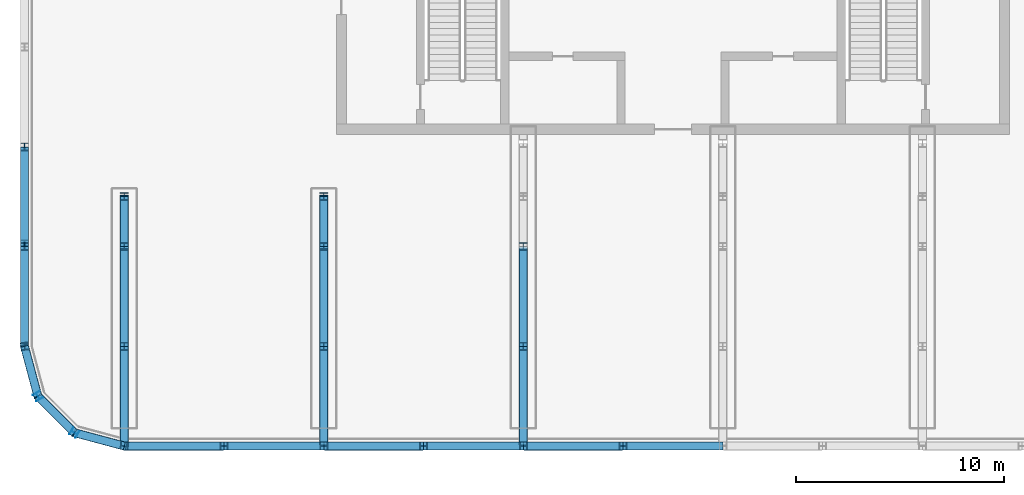
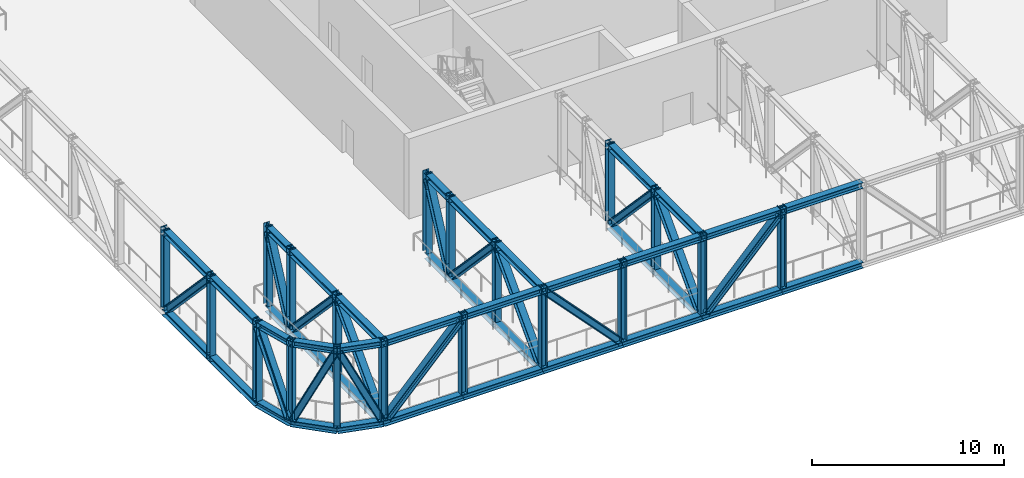
# One storey, part 1 of 16: 72 members.
"""IFC4 building model written with IfcOpenShell, lengths in metres."""

from ifc_helpers import new_model, si_unit, direction, frame, origin, origin_2d, place, context, subcontext, project, spatial, i_section, extrude, material, material_profile, profile_set, type_object, element, save


model = new_model("IFC4")

# Units and contexts
model_context = context("Model", 3, precision=1e-05, world=origin(), true_north=direction((0.0, 1.0)))
body_context = subcontext(model_context, "Body", "Model", "MODEL_VIEW")
ifc_project = project(units=[si_unit("LENGTHUNIT", "METRE"), si_unit("AREAUNIT", "SQUARE_METRE"), si_unit("VOLUMEUNIT", "CUBIC_METRE"), si_unit("PLANEANGLEUNIT", "RADIAN"), si_unit("MASSUNIT", "GRAM", prefix="KILO")], contexts=[model_context])

# Site, building, storey
site_placement = place(None, origin())
site = spatial("IfcSite", under=ifc_project, at=site_placement, CompositionType="ELEMENT")
building_placement = place(site_placement, origin())
building = spatial("IfcBuilding", under=site, at=building_placement, Name="Madar Terraces", CompositionType="ELEMENT")
storey_placement = place(building_placement, frame((0.0, 0.0, 263.199951171875)))
storey = spatial("IfcBuildingStorey", under=building, at=storey_placement, Name="L69", CompositionType="ELEMENT", Elevation=263.199951171875)

# Members
ifc_material_1 = material(Name="Steel ASTM A992 Grade 50", Category="steel")
ifc_material_profile_1 = material_profile(ifc_material_1, i_section(OverallWidth=0.396240234375, OverallDepth=0.381103515625, WebThickness=0.01904296875, FlangeThickness=0.0302734375, at=origin_2d()), Name="W14x159")
ifc_profile_set_1 = profile_set([ifc_material_profile_1], Name="Steel ASTM A992 Grade 50")
member_type_1 = type_object("IfcMemberType", Name="BC9 W14x159", PredefinedType="CHORD", material=ifc_profile_set_1)
member_1_placement = place(storey_placement, frame((4.800048828125, 0.0, -0.2294921875), z_axis=(1.0, 0.0, 0.0), x_axis=(0.0, 1.0, 0.0)))
element("IfcMember", 1, at=member_1_placement, inside=storey, type_object=member_type_1, Name="Exoskeleton truss ring bottom chord BC9", PredefinedType="CHORD", context=body_context, shape_type="SweptSolid", body=[
    extrude(i_section(OverallWidth=0.396240234375, OverallDepth=0.381103515625, WebThickness=0.01904296875, FlangeThickness=0.0302734375, at=origin_2d()), origin(), (0.0, 0.0, 1.0), 4.800048828125),
])
member_2_placement = place(storey_placement, frame((9.60009765625, 0.0, -0.2294921875), z_axis=(1.0, 0.0, 0.0), x_axis=(0.0, 1.0, 0.0)))
element("IfcMember", 2, at=member_2_placement, inside=storey, type_object=member_type_1, Name="Exoskeleton truss ring bottom chord BC9", PredefinedType="CHORD", context=body_context, shape_type="SweptSolid", body=[
    extrude(i_section(OverallWidth=0.396240234375, OverallDepth=0.381103515625, WebThickness=0.01904296875, FlangeThickness=0.0302734375, at=origin_2d()), origin(), (0.0, 0.0, 1.0), 4.7998046875),
])
for number, where, z_axis, x_axis, name in (
    (3, (14.39990234375, 0.0, -0.2294921875), (1.0, 0.0, 0.0), (0.0, 1.0, 0.0), "Exoskeleton truss ring bottom chord BC9"),
    (4, (19.199951171875, 0.0, -0.2294921875), (1.0, 0.0, 0.0), (0.0, 1.0, 0.0), "Exoskeleton truss ring bottom chord BC9"),
    (5, (24.0, 0.0, -0.2294921875), (1.0, 0.0, 0.0), (0.0, 1.0, 0.0), "Exoskeleton truss ring bottom chord BC9"),
    (6, (28.800048828125, 0.0, -0.2294921875), (1.0, 0.0, 0.0), (0.0, 1.0, 0.0), "Exoskeleton truss ring bottom chord BC9"),
):
    element("IfcMember", number, at=place(storey_placement, frame(where, z_axis=z_axis, x_axis=x_axis)), inside=storey, type_object=member_type_1, Name=name, PredefinedType="CHORD", context=body_context, shape_type="SweptSolid", body=[
        extrude(i_section(OverallWidth=0.396240234375, OverallDepth=0.381103515625, WebThickness=0.01904296875, FlangeThickness=0.0302734375, at=origin_2d()), origin(), (0.0, 0.0, 1.0), 4.800048828125),
    ])
member_3_placement = place(storey_placement, frame((0.0, 14.39990234375, -0.2294921875), z_axis=(0.0, -1.0, 0.0), x_axis=(1.0, 0.0, 0.0)))
element("IfcMember", 7, at=member_3_placement, inside=storey, type_object=member_type_1, Name="Exoskeleton truss ring bottom chord BC9", PredefinedType="CHORD", context=body_context, shape_type="SweptSolid", body=[
    extrude(i_section(OverallWidth=0.396240234375, OverallDepth=0.381103515625, WebThickness=0.01904296875, FlangeThickness=0.0302734375, at=origin_2d()), origin(), (0.0, 0.0, 1.0), 4.7998046875),
])
member_4_placement = place(storey_placement, frame((0.0, 9.60009765625, -0.2294921875), z_axis=(0.0, -1.0, 0.0), x_axis=(1.0, 0.0, 0.0)))
element("IfcMember", 8, at=member_4_placement, inside=storey, type_object=member_type_1, Name="Exoskeleton truss ring bottom chord BC9", PredefinedType="CHORD", context=body_context, shape_type="SweptSolid", body=[
    extrude(i_section(OverallWidth=0.396240234375, OverallDepth=0.381103515625, WebThickness=0.01904296875, FlangeThickness=0.0302734375, at=origin_2d()), origin(), (0.0, 0.0, 1.0), 4.800048828125),
])
member_5_placement = place(storey_placement, frame((0.0, 4.800048828125, -0.2294921875), z_axis=(0.258799930484, -0.965930947833, 0.0), x_axis=(0.965930947833, 0.258799930484, 0.0)))
element("IfcMember", 9, at=member_5_placement, inside=storey, type_object=member_type_1, Name="Exoskeleton truss ring bottom chord BC9", PredefinedType="CHORD", context=body_context, shape_type="SweptSolid", body=[
    extrude(i_section(OverallWidth=0.396240234375, OverallDepth=0.381103515625, WebThickness=0.01904296875, FlangeThickness=0.0302734375, at=origin_2d()), origin(), (0.0, 0.0, 1.0), 2.48486328125),
])
member_6_placement = place(storey_placement, frame((0.64306640625, 2.39990234375, -0.2294921875), z_axis=(0.707106781187, -0.707106781187, 0.0), x_axis=(0.707106781187, 0.707106781187, 0.0)))
element("IfcMember", 10, at=member_6_placement, inside=storey, type_object=member_type_1, Name="Exoskeleton truss ring bottom chord BC9", PredefinedType="CHORD", context=body_context, shape_type="SweptSolid", body=[
    extrude(i_section(OverallWidth=0.396240234375, OverallDepth=0.381103515625, WebThickness=0.01904296875, FlangeThickness=0.0302734375, at=origin_2d()), origin(), (0.0, 0.0, 1.0), 2.484619140625),
])
member_7_placement = place(storey_placement, frame((2.39990234375, 0.64306640625, -0.2294921875), z_axis=(0.965930947833, -0.258799930484, 0.0), x_axis=(0.258799930484, 0.965930947833, 0.0)))
element("IfcMember", 11, at=member_7_placement, inside=storey, type_object=member_type_1, Name="Exoskeleton truss ring bottom chord BC9", PredefinedType="CHORD", context=body_context, shape_type="SweptSolid", body=[
    extrude(i_section(OverallWidth=0.396240234375, OverallDepth=0.381103515625, WebThickness=0.01904296875, FlangeThickness=0.0302734375, at=origin_2d()), origin(), (0.0, 0.0, 1.0), 2.48486328125),
])
member_8_placement = place(storey_placement, frame((4.800048828125, 0.197998046875, -0.2294921875), z_axis=(0.0, 1.0, 0.0), x_axis=(-1.0, 0.0, 0.0)))
element("IfcMember", 12, at=member_8_placement, inside=storey, type_object=member_type_1, Name="Exoskeleton truss cross S4.8 bottom chord BC9", PredefinedType="CHORD", context=body_context, shape_type="SweptSolid", body=[
    extrude(i_section(OverallWidth=0.396240234375, OverallDepth=0.381103515625, WebThickness=0.01904296875, FlangeThickness=0.0302734375, at=origin_2d()), origin(), (0.0, 0.0, 1.0), 4.60205078125),
])
member_9_placement = place(storey_placement, frame((4.800048828125, 4.800048828125, -0.2294921875), z_axis=(0.0, 1.0, 0.0), x_axis=(-1.0, 0.0, 0.0)))
element("IfcMember", 13, at=member_9_placement, inside=storey, type_object=member_type_1, Name="Exoskeleton truss cross S4.8 bottom chord BC9", PredefinedType="CHORD", context=body_context, shape_type="SweptSolid", body=[
    extrude(i_section(OverallWidth=0.396240234375, OverallDepth=0.381103515625, WebThickness=0.01904296875, FlangeThickness=0.0302734375, at=origin_2d()), origin(), (0.0, 0.0, 1.0), 4.800048828125),
])
member_10_placement = place(storey_placement, frame((4.800048828125, 9.60009765625, -0.2294921875), z_axis=(0.0, 1.0, 0.0), x_axis=(-1.0, 0.0, 0.0)))
element("IfcMember", 14, at=member_10_placement, inside=storey, type_object=member_type_1, Name="Exoskeleton truss cross S4.8 bottom chord BC9", PredefinedType="CHORD", context=body_context, shape_type="SweptSolid", body=[
    extrude(i_section(OverallWidth=0.396240234375, OverallDepth=0.381103515625, WebThickness=0.01904296875, FlangeThickness=0.0302734375, at=origin_2d()), origin(), (0.0, 0.0, 1.0), 2.39990234375),
])
member_11_placement = place(storey_placement, frame((14.39990234375, 0.197998046875, -0.2294921875), z_axis=(0.0, 1.0, 0.0), x_axis=(-1.0, 0.0, 0.0)))
element("IfcMember", 15, at=member_11_placement, inside=storey, type_object=member_type_1, Name="Exoskeleton truss cross S14.4 bottom chord BC9", PredefinedType="CHORD", context=body_context, shape_type="SweptSolid", body=[
    extrude(i_section(OverallWidth=0.396240234375, OverallDepth=0.381103515625, WebThickness=0.01904296875, FlangeThickness=0.0302734375, at=origin_2d()), origin(), (0.0, 0.0, 1.0), 4.60205078125),
])
member_12_placement = place(storey_placement, frame((14.39990234375, 4.800048828125, -0.2294921875), z_axis=(0.0, 1.0, 0.0), x_axis=(-1.0, 0.0, 0.0)))
element("IfcMember", 16, at=member_12_placement, inside=storey, type_object=member_type_1, Name="Exoskeleton truss cross S14.4 bottom chord BC9", PredefinedType="CHORD", context=body_context, shape_type="SweptSolid", body=[
    extrude(i_section(OverallWidth=0.396240234375, OverallDepth=0.381103515625, WebThickness=0.01904296875, FlangeThickness=0.0302734375, at=origin_2d()), origin(), (0.0, 0.0, 1.0), 4.800048828125),
])
member_13_placement = place(storey_placement, frame((14.39990234375, 9.60009765625, -0.2294921875), z_axis=(0.0, 1.0, 0.0), x_axis=(-1.0, 0.0, 0.0)))
element("IfcMember", 17, at=member_13_placement, inside=storey, type_object=member_type_1, Name="Exoskeleton truss cross S14.4 bottom chord BC9", PredefinedType="CHORD", context=body_context, shape_type="SweptSolid", body=[
    extrude(i_section(OverallWidth=0.396240234375, OverallDepth=0.381103515625, WebThickness=0.01904296875, FlangeThickness=0.0302734375, at=origin_2d()), origin(), (0.0, 0.0, 1.0), 2.39990234375),
])
member_14_placement = place(storey_placement, frame((24.0, 0.197998046875, -0.2294921875), z_axis=(0.0, 1.0, 0.0), x_axis=(-1.0, 0.0, 0.0)))
element("IfcMember", 18, at=member_14_placement, inside=storey, type_object=member_type_1, Name="Exoskeleton truss cross S24 bottom chord BC9", PredefinedType="CHORD", context=body_context, shape_type="SweptSolid", body=[
    extrude(i_section(OverallWidth=0.396240234375, OverallDepth=0.381103515625, WebThickness=0.01904296875, FlangeThickness=0.0302734375, at=origin_2d()), origin(), (0.0, 0.0, 1.0), 4.60205078125),
])
member_15_placement = place(storey_placement, frame((24.0, 4.800048828125, -0.2294921875), z_axis=(0.0, 1.0, 0.0), x_axis=(-1.0, 0.0, 0.0)))
element("IfcMember", 19, at=member_15_placement, inside=storey, type_object=member_type_1, Name="Exoskeleton truss cross S24 bottom chord BC9", PredefinedType="CHORD", context=body_context, shape_type="SweptSolid", body=[
    extrude(i_section(OverallWidth=0.396240234375, OverallDepth=0.381103515625, WebThickness=0.01904296875, FlangeThickness=0.0302734375, at=origin_2d()), origin(), (0.0, 0.0, 1.0), 4.800048828125),
])
ifc_material_2 = material(Name="Steel ASTM A992 Grade 50", Category="steel")
ifc_material_profile_2 = material_profile(ifc_material_2, i_section(OverallWidth=0.373291015625, OverallDepth=0.373291015625, WebThickness=0.016357421875, FlangeThickness=0.026123046875, at=origin_2d()), Name="W14x132")
ifc_profile_set_2 = profile_set([ifc_material_profile_2], Name="Steel ASTM A992 Grade 50")
member_type_2 = type_object("IfcMemberType", Name="TC9 W14x132", PredefinedType="CHORD", material=ifc_profile_set_2)
member_16_placement = place(storey_placement, frame((4.800048828125, 0.0, 4.84326171875), z_axis=(1.0, 0.0, 0.0), x_axis=(0.0, 1.0, 0.0)))
element("IfcMember", 20, at=member_16_placement, inside=storey, type_object=member_type_2, Name="Exoskeleton truss ring top chord TC9", PredefinedType="CHORD", context=body_context, shape_type="SweptSolid", body=[
    extrude(i_section(OverallWidth=0.373291015625, OverallDepth=0.373291015625, WebThickness=0.016357421875, FlangeThickness=0.026123046875, at=origin_2d()), origin(), (0.0, 0.0, 1.0), 4.800048828125),
])
member_17_placement = place(storey_placement, frame((9.60009765625, 0.0, 4.84326171875), z_axis=(1.0, 0.0, 0.0), x_axis=(0.0, 1.0, 0.0)))
element("IfcMember", 21, at=member_17_placement, inside=storey, type_object=member_type_2, Name="Exoskeleton truss ring top chord TC9", PredefinedType="CHORD", context=body_context, shape_type="SweptSolid", body=[
    extrude(i_section(OverallWidth=0.373291015625, OverallDepth=0.373291015625, WebThickness=0.016357421875, FlangeThickness=0.026123046875, at=origin_2d()), origin(), (0.0, 0.0, 1.0), 4.7998046875),
])
for number, where, z_axis, x_axis, name in (
    (22, (14.39990234375, 0.0, 4.84326171875), (1.0, 0.0, 0.0), (0.0, 1.0, 0.0), "Exoskeleton truss ring top chord TC9"),
    (23, (19.199951171875, 0.0, 4.84326171875), (1.0, 0.0, 0.0), (0.0, 1.0, 0.0), "Exoskeleton truss ring top chord TC9"),
    (24, (24.0, 0.0, 4.84326171875), (1.0, 0.0, 0.0), (0.0, 1.0, 0.0), "Exoskeleton truss ring top chord TC9"),
    (25, (28.800048828125, 0.0, 4.84326171875), (1.0, 0.0, 0.0), (0.0, 1.0, 0.0), "Exoskeleton truss ring top chord TC9"),
):
    element("IfcMember", number, at=place(storey_placement, frame(where, z_axis=z_axis, x_axis=x_axis)), inside=storey, type_object=member_type_2, Name=name, PredefinedType="CHORD", context=body_context, shape_type="SweptSolid", body=[
        extrude(i_section(OverallWidth=0.373291015625, OverallDepth=0.373291015625, WebThickness=0.016357421875, FlangeThickness=0.026123046875, at=origin_2d()), origin(), (0.0, 0.0, 1.0), 4.800048828125),
    ])
member_18_placement = place(storey_placement, frame((0.0, 14.39990234375, 4.84326171875), z_axis=(0.0, -1.0, 0.0), x_axis=(1.0, 0.0, 0.0)))
element("IfcMember", 26, at=member_18_placement, inside=storey, type_object=member_type_2, Name="Exoskeleton truss ring top chord TC9", PredefinedType="CHORD", context=body_context, shape_type="SweptSolid", body=[
    extrude(i_section(OverallWidth=0.373291015625, OverallDepth=0.373291015625, WebThickness=0.016357421875, FlangeThickness=0.026123046875, at=origin_2d()), origin(), (0.0, 0.0, 1.0), 4.7998046875),
])
member_19_placement = place(storey_placement, frame((0.0, 9.60009765625, 4.84326171875), z_axis=(0.0, -1.0, 0.0), x_axis=(1.0, 0.0, 0.0)))
element("IfcMember", 27, at=member_19_placement, inside=storey, type_object=member_type_2, Name="Exoskeleton truss ring top chord TC9", PredefinedType="CHORD", context=body_context, shape_type="SweptSolid", body=[
    extrude(i_section(OverallWidth=0.373291015625, OverallDepth=0.373291015625, WebThickness=0.016357421875, FlangeThickness=0.026123046875, at=origin_2d()), origin(), (0.0, 0.0, 1.0), 4.800048828125),
])
member_20_placement = place(storey_placement, frame((0.0, 4.800048828125, 4.84326171875), z_axis=(0.258799930484, -0.965930947833, 0.0), x_axis=(0.965930947833, 0.258799930484, 0.0)))
element("IfcMember", 28, at=member_20_placement, inside=storey, type_object=member_type_2, Name="Exoskeleton truss ring top chord TC9", PredefinedType="CHORD", context=body_context, shape_type="SweptSolid", body=[
    extrude(i_section(OverallWidth=0.373291015625, OverallDepth=0.373291015625, WebThickness=0.016357421875, FlangeThickness=0.026123046875, at=origin_2d()), origin(), (0.0, 0.0, 1.0), 2.48486328125),
])
member_21_placement = place(storey_placement, frame((0.64306640625, 2.39990234375, 4.84326171875), z_axis=(0.707106781187, -0.707106781187, 0.0), x_axis=(0.707106781187, 0.707106781187, 0.0)))
element("IfcMember", 29, at=member_21_placement, inside=storey, type_object=member_type_2, Name="Exoskeleton truss ring top chord TC9", PredefinedType="CHORD", context=body_context, shape_type="SweptSolid", body=[
    extrude(i_section(OverallWidth=0.373291015625, OverallDepth=0.373291015625, WebThickness=0.016357421875, FlangeThickness=0.026123046875, at=origin_2d()), origin(), (0.0, 0.0, 1.0), 2.484619140625),
])
member_22_placement = place(storey_placement, frame((2.39990234375, 0.64306640625, 4.84326171875), z_axis=(0.965930947833, -0.258799930484, 0.0), x_axis=(0.258799930484, 0.965930947833, 0.0)))
element("IfcMember", 30, at=member_22_placement, inside=storey, type_object=member_type_2, Name="Exoskeleton truss ring top chord TC9", PredefinedType="CHORD", context=body_context, shape_type="SweptSolid", body=[
    extrude(i_section(OverallWidth=0.373291015625, OverallDepth=0.373291015625, WebThickness=0.016357421875, FlangeThickness=0.026123046875, at=origin_2d()), origin(), (0.0, 0.0, 1.0), 2.48486328125),
])
member_23_placement = place(storey_placement, frame((4.800048828125, 0.186767578125, 4.84326171875), z_axis=(0.0, 1.0, 0.0), x_axis=(-1.0, 0.0, 0.0)))
element("IfcMember", 31, at=member_23_placement, inside=storey, type_object=member_type_2, Name="Exoskeleton truss cross S4.8 top chord TC9", PredefinedType="CHORD", context=body_context, shape_type="SweptSolid", body=[
    extrude(i_section(OverallWidth=0.373291015625, OverallDepth=0.373291015625, WebThickness=0.016357421875, FlangeThickness=0.026123046875, at=origin_2d()), origin(), (0.0, 0.0, 1.0), 4.61328125),
])
member_24_placement = place(storey_placement, frame((4.800048828125, 4.800048828125, 4.84326171875), z_axis=(0.0, 1.0, 0.0), x_axis=(-1.0, 0.0, 0.0)))
element("IfcMember", 32, at=member_24_placement, inside=storey, type_object=member_type_2, Name="Exoskeleton truss cross S4.8 top chord TC9", PredefinedType="CHORD", context=body_context, shape_type="SweptSolid", body=[
    extrude(i_section(OverallWidth=0.373291015625, OverallDepth=0.373291015625, WebThickness=0.016357421875, FlangeThickness=0.026123046875, at=origin_2d()), origin(), (0.0, 0.0, 1.0), 4.800048828125),
])
member_25_placement = place(storey_placement, frame((4.800048828125, 9.60009765625, 4.84326171875), z_axis=(0.0, 1.0, 0.0), x_axis=(-1.0, 0.0, 0.0)))
element("IfcMember", 33, at=member_25_placement, inside=storey, type_object=member_type_2, Name="Exoskeleton truss cross S4.8 top chord TC9", PredefinedType="CHORD", context=body_context, shape_type="SweptSolid", body=[
    extrude(i_section(OverallWidth=0.373291015625, OverallDepth=0.373291015625, WebThickness=0.016357421875, FlangeThickness=0.026123046875, at=origin_2d()), origin(), (0.0, 0.0, 1.0), 2.39990234375),
])
member_26_placement = place(storey_placement, frame((14.39990234375, 0.186767578125, 4.84326171875), z_axis=(0.0, 1.0, 0.0), x_axis=(-1.0, 0.0, 0.0)))
element("IfcMember", 34, at=member_26_placement, inside=storey, type_object=member_type_2, Name="Exoskeleton truss cross S14.4 top chord TC9", PredefinedType="CHORD", context=body_context, shape_type="SweptSolid", body=[
    extrude(i_section(OverallWidth=0.373291015625, OverallDepth=0.373291015625, WebThickness=0.016357421875, FlangeThickness=0.026123046875, at=origin_2d()), origin(), (0.0, 0.0, 1.0), 4.61328125),
])
member_27_placement = place(storey_placement, frame((14.39990234375, 4.800048828125, 4.84326171875), z_axis=(0.0, 1.0, 0.0), x_axis=(-1.0, 0.0, 0.0)))
element("IfcMember", 35, at=member_27_placement, inside=storey, type_object=member_type_2, Name="Exoskeleton truss cross S14.4 top chord TC9", PredefinedType="CHORD", context=body_context, shape_type="SweptSolid", body=[
    extrude(i_section(OverallWidth=0.373291015625, OverallDepth=0.373291015625, WebThickness=0.016357421875, FlangeThickness=0.026123046875, at=origin_2d()), origin(), (0.0, 0.0, 1.0), 4.800048828125),
])
member_28_placement = place(storey_placement, frame((14.39990234375, 9.60009765625, 4.84326171875), z_axis=(0.0, 1.0, 0.0), x_axis=(-1.0, 0.0, 0.0)))
element("IfcMember", 36, at=member_28_placement, inside=storey, type_object=member_type_2, Name="Exoskeleton truss cross S14.4 top chord TC9", PredefinedType="CHORD", context=body_context, shape_type="SweptSolid", body=[
    extrude(i_section(OverallWidth=0.373291015625, OverallDepth=0.373291015625, WebThickness=0.016357421875, FlangeThickness=0.026123046875, at=origin_2d()), origin(), (0.0, 0.0, 1.0), 2.39990234375),
])
member_29_placement = place(storey_placement, frame((24.0, 0.186767578125, 4.84326171875), z_axis=(0.0, 1.0, 0.0), x_axis=(-1.0, 0.0, 0.0)))
element("IfcMember", 37, at=member_29_placement, inside=storey, type_object=member_type_2, Name="Exoskeleton truss cross S24 top chord TC9", PredefinedType="CHORD", context=body_context, shape_type="SweptSolid", body=[
    extrude(i_section(OverallWidth=0.373291015625, OverallDepth=0.373291015625, WebThickness=0.016357421875, FlangeThickness=0.026123046875, at=origin_2d()), origin(), (0.0, 0.0, 1.0), 4.61328125),
])
member_30_placement = place(storey_placement, frame((24.0, 4.800048828125, 4.84326171875), z_axis=(0.0, 1.0, 0.0), x_axis=(-1.0, 0.0, 0.0)))
element("IfcMember", 38, at=member_30_placement, inside=storey, type_object=member_type_2, Name="Exoskeleton truss cross S24 top chord TC9", PredefinedType="CHORD", context=body_context, shape_type="SweptSolid", body=[
    extrude(i_section(OverallWidth=0.373291015625, OverallDepth=0.373291015625, WebThickness=0.016357421875, FlangeThickness=0.026123046875, at=origin_2d()), origin(), (0.0, 0.0, 1.0), 4.800048828125),
])
ifc_material_3 = material(Name="Steel ASTM A992 Grade 50", Category="steel")
ifc_material_profile_3 = material_profile(ifc_material_3, i_section(OverallWidth=0.4013671875, OverallDepth=0.398681640625, WebThickness=0.02490234375, FlangeThickness=0.03955078125, at=origin_2d()), Name="W14x211")
ifc_profile_set_3 = profile_set([ifc_material_profile_3], Name="Steel ASTM A992 Grade 50")
member_type_3 = type_object("IfcMemberType", Name="TD9 W14x211", PredefinedType="BRACE", material=ifc_profile_set_3)
for number, where, z_axis, x_axis, name in (
    (39, (4.980224609375, 0.0, -0.0390625), (0.687293038858, 0.0, 0.726380257673), (0.0, 1.0, 0.0), "Exoskeleton truss ring diagonal TD9"),
    (40, (14.57666015625, 0.0, 4.65673828125), (0.687293038858, 0.0, -0.726380257673), (0.0, 1.0, 0.0), "Exoskeleton truss ring diagonal TD9"),
    (41, (24.18017578125, 0.0, -0.0390625), (0.687293038858, 0.0, 0.726380257673), (0.0, 1.0, 0.0), "Exoskeleton truss ring diagonal TD9"),
    (42, (0.0, 14.2197265625, -0.0390625), (0.0, -0.687293038858, 0.726380257673), (1.0, 0.0, 0.0), "Exoskeleton truss ring diagonal TD9"),
):
    element("IfcMember", number, at=place(storey_placement, frame(where, z_axis=z_axis, x_axis=x_axis)), inside=storey, type_object=member_type_3, Name=name, PredefinedType="BRACE", context=body_context, shape_type="SweptSolid", body=[
        extrude(i_section(OverallWidth=0.4013671875, OverallDepth=0.398681640625, WebThickness=0.02490234375, FlangeThickness=0.03955078125, at=origin_2d()), origin(), (0.0, 0.0, 1.0), 6.464599609375),
    ])
for number, where, z_axis, x_axis, name in (
    (43, (0.023681640625, 4.711669921875, 4.65673828125), (0.113835485125, -0.424851960278, -0.89807699791), (0.965927676111, 0.258812141374, 0.0), "Exoskeleton truss ring diagonal TD9"),
    (44, (0.708984375, 2.333984375, -0.0390625), (0.311057904871, -0.311011213501, 0.898061804607), (0.707053705054, 0.707159853336, 0.0), "Exoskeleton truss ring diagonal TD9"),
    (45, (2.48828125, 0.619384765625, 4.65673828125), (0.424890223402, -0.113833226885, -0.898059182078), (0.258785605263, 0.965934785847, 0.0), "Exoskeleton truss ring diagonal TD9"),
):
    element("IfcMember", number, at=place(storey_placement, frame(where, z_axis=z_axis, x_axis=x_axis)), inside=storey, type_object=member_type_3, Name=name, PredefinedType="BRACE", context=body_context, shape_type="SweptSolid", body=[
        extrude(i_section(OverallWidth=0.4013671875, OverallDepth=0.398681640625, WebThickness=0.02490234375, FlangeThickness=0.03955078125, at=origin_2d()), origin(), (0.0, 0.0, 1.0), 5.228759765625),
    ])
member_31_placement = place(storey_placement, frame((4.800048828125, 0.197998046875, -0.02001953125), z_axis=(0.0, 0.687309099072, 0.726365061338), x_axis=(-1.0, 0.0, 0.0)))
element("IfcMember", 46, at=member_31_placement, inside=storey, type_object=member_type_3, Name="Exoskeleton truss cross S4.8 diagonal TD9", PredefinedType="BRACE", context=body_context, shape_type="SweptSolid", body=[
    extrude(i_section(OverallWidth=0.4013671875, OverallDepth=0.398681640625, WebThickness=0.02490234375, FlangeThickness=0.03955078125, at=origin_2d()), origin(), (0.0, 0.0, 1.0), 6.4384765625),
])
member_32_placement = place(storey_placement, frame((4.800048828125, 4.9765625, 4.65673828125), z_axis=(0.0, 0.687293038858, -0.726380257673), x_axis=(-1.0, 0.0, 0.0)))
element("IfcMember", 47, at=member_32_placement, inside=storey, type_object=member_type_3, Name="Exoskeleton truss cross S4.8 diagonal TD9", PredefinedType="BRACE", context=body_context, shape_type="SweptSolid", body=[
    extrude(i_section(OverallWidth=0.4013671875, OverallDepth=0.398681640625, WebThickness=0.02490234375, FlangeThickness=0.03955078125, at=origin_2d()), origin(), (0.0, 0.0, 1.0), 6.464599609375),
])
member_33_placement = place(storey_placement, frame((4.800048828125, 9.690185546875, -0.0390625), z_axis=(0.0, 0.427631731749, 0.903953041923), x_axis=(-1.0, 0.0, 0.0)))
element("IfcMember", 48, at=member_33_placement, inside=storey, type_object=member_type_3, Name="Exoskeleton truss cross S4.8 diagonal TD9", PredefinedType="BRACE", context=body_context, shape_type="SweptSolid", body=[
    extrude(i_section(OverallWidth=0.4013671875, OverallDepth=0.398681640625, WebThickness=0.02490234375, FlangeThickness=0.03955078125, at=origin_2d()), origin(), (0.0, 0.0, 1.0), 5.19482421875),
])
member_34_placement = place(storey_placement, frame((14.39990234375, 0.197998046875, -0.02001953125), z_axis=(0.0, 0.687309099072, 0.726365061338), x_axis=(-1.0, 0.0, 0.0)))
element("IfcMember", 49, at=member_34_placement, inside=storey, type_object=member_type_3, Name="Exoskeleton truss cross S14.4 diagonal TD9", PredefinedType="BRACE", context=body_context, shape_type="SweptSolid", body=[
    extrude(i_section(OverallWidth=0.4013671875, OverallDepth=0.398681640625, WebThickness=0.02490234375, FlangeThickness=0.03955078125, at=origin_2d()), origin(), (0.0, 0.0, 1.0), 6.4384765625),
])
member_35_placement = place(storey_placement, frame((14.39990234375, 4.9765625, 4.65673828125), z_axis=(0.0, 0.687293038858, -0.726380257673), x_axis=(-1.0, 0.0, 0.0)))
element("IfcMember", 50, at=member_35_placement, inside=storey, type_object=member_type_3, Name="Exoskeleton truss cross S14.4 diagonal TD9", PredefinedType="BRACE", context=body_context, shape_type="SweptSolid", body=[
    extrude(i_section(OverallWidth=0.4013671875, OverallDepth=0.398681640625, WebThickness=0.02490234375, FlangeThickness=0.03955078125, at=origin_2d()), origin(), (0.0, 0.0, 1.0), 6.464599609375),
])
member_36_placement = place(storey_placement, frame((14.39990234375, 9.690185546875, -0.0390625), z_axis=(0.0, 0.427631731749, 0.903953041923), x_axis=(-1.0, 0.0, 0.0)))
element("IfcMember", 51, at=member_36_placement, inside=storey, type_object=member_type_3, Name="Exoskeleton truss cross S14.4 diagonal TD9", PredefinedType="BRACE", context=body_context, shape_type="SweptSolid", body=[
    extrude(i_section(OverallWidth=0.4013671875, OverallDepth=0.398681640625, WebThickness=0.02490234375, FlangeThickness=0.03955078125, at=origin_2d()), origin(), (0.0, 0.0, 1.0), 5.19482421875),
])
member_37_placement = place(storey_placement, frame((24.0, 0.197998046875, -0.02001953125), z_axis=(0.0, 0.687309099072, 0.726365061338), x_axis=(-1.0, 0.0, 0.0)))
element("IfcMember", 52, at=member_37_placement, inside=storey, type_object=member_type_3, Name="Exoskeleton truss cross S24 diagonal TD9", PredefinedType="BRACE", context=body_context, shape_type="SweptSolid", body=[
    extrude(i_section(OverallWidth=0.4013671875, OverallDepth=0.398681640625, WebThickness=0.02490234375, FlangeThickness=0.03955078125, at=origin_2d()), origin(), (0.0, 0.0, 1.0), 6.4384765625),
])
member_38_placement = place(storey_placement, frame((24.0, 4.9765625, 4.65673828125), z_axis=(0.0, 0.687293038858, -0.726380257673), x_axis=(-1.0, 0.0, 0.0)))
element("IfcMember", 53, at=member_38_placement, inside=storey, type_object=member_type_3, Name="Exoskeleton truss cross S24 diagonal TD9", PredefinedType="BRACE", context=body_context, shape_type="SweptSolid", body=[
    extrude(i_section(OverallWidth=0.4013671875, OverallDepth=0.398681640625, WebThickness=0.02490234375, FlangeThickness=0.03955078125, at=origin_2d()), origin(), (0.0, 0.0, 1.0), 6.464599609375),
])
ifc_material_4 = material(Name="Steel ASTM A992 Grade 50", Category="steel")
ifc_material_profile_4 = material_profile(ifc_material_4, i_section(OverallWidth=0.370849609375, OverallDepth=0.36328125, WebThickness=0.013427734375, FlangeThickness=0.021728515625, at=origin_2d()), Name="W14x109")
ifc_profile_set_4 = profile_set([ifc_material_profile_4], Name="Steel ASTM A992 Grade 50")
member_type_4 = type_object("IfcMemberType", Name="TV9 W14x109", PredefinedType="POST", material=ifc_profile_set_4)
for number, where, z_axis, x_axis, name in (
    (54, (4.800048828125, 0.0, -0.0390625), (0.0, 0.0, 1.0), (0.130526174916, 0.991444863652, 0.0), "Exoskeleton truss ring post TV9"),
    (55, (9.60009765625, 0.0, -0.0390625), (0.0, 0.0, 1.0), (0.0, 1.0, 0.0), "Exoskeleton truss ring post TV9"),
    (56, (14.39990234375, 0.0, -0.0390625), (0.0, 0.0, 1.0), (0.0, 1.0, 0.0), "Exoskeleton truss ring post TV9"),
    (57, (19.199951171875, 0.0, -0.0390625), (0.0, 0.0, 1.0), (0.0, 1.0, 0.0), "Exoskeleton truss ring post TV9"),
    (58, (24.0, 0.0, -0.0390625), (0.0, 0.0, 1.0), (0.0, 1.0, 0.0), "Exoskeleton truss ring post TV9"),
    (59, (28.800048828125, 0.0, -0.0390625), (0.0, 0.0, 1.0), (0.0, 1.0, 0.0), "Exoskeleton truss ring post TV9"),
    (60, (0.0, 14.39990234375, -0.0390625), (0.0, 0.0, 1.0), (1.0, 0.0, 0.0), "Exoskeleton truss ring post TV9"),
):
    element("IfcMember", number, at=place(storey_placement, frame(where, z_axis=z_axis, x_axis=x_axis)), inside=storey, type_object=member_type_4, Name=name, PredefinedType="POST", context=body_context, shape_type="SweptSolid", body=[
        extrude(i_section(OverallWidth=0.370849609375, OverallDepth=0.36328125, WebThickness=0.013427734375, FlangeThickness=0.021728515625, at=origin_2d()), origin(), (0.0, 0.0, 1.0), 5.13916015625),
    ])
member_39_placement = place(storey_placement, frame((0.0, 9.60009765625, -0.419921875), z_axis=(0.0, 0.0, 1.0), x_axis=(1.0, 0.0, 0.0)))
element("IfcMember", 61, at=member_39_placement, inside=storey, type_object=member_type_4, Name="Exoskeleton truss ring post TV9", PredefinedType="POST", context=body_context, shape_type="SweptSolid", body=[
    extrude(i_section(OverallWidth=0.370849609375, OverallDepth=0.36328125, WebThickness=0.013427734375, FlangeThickness=0.021728515625, at=origin_2d()), origin(), (0.0, 0.0, 1.0), 5.52001953125),
])
for number, where, z_axis, x_axis, name in (
    (62, (0.0, 4.800048828125, -0.0390625), (0.0, 0.0, 1.0), (0.991444863652, 0.130526174916, 0.0), "Exoskeleton truss ring post TV9"),
    (63, (0.64306640625, 2.39990234375, -0.0390625), (0.0, 0.0, 1.0), (0.866025412511, 0.499999984885, 0.0), "Exoskeleton truss ring post TV9"),
    (64, (2.39990234375, 0.64306640625, -0.0390625), (0.0, 0.0, 1.0), (0.499999984885, 0.866025412511, 0.0), "Exoskeleton truss ring post TV9"),
):
    element("IfcMember", number, at=place(storey_placement, frame(where, z_axis=z_axis, x_axis=x_axis)), inside=storey, type_object=member_type_4, Name=name, PredefinedType="POST", context=body_context, shape_type="SweptSolid", body=[
        extrude(i_section(OverallWidth=0.370849609375, OverallDepth=0.36328125, WebThickness=0.013427734375, FlangeThickness=0.021728515625, at=origin_2d()), origin(), (0.0, 0.0, 1.0), 5.13916015625),
    ])
member_40_placement = place(storey_placement, frame((4.800048828125, 4.800048828125, -0.419921875), z_axis=(0.0, 0.0, 1.0), x_axis=(-1.0, 0.0, 0.0)))
element("IfcMember", 65, at=member_40_placement, inside=storey, type_object=member_type_4, Name="Exoskeleton truss cross S4.8 post TV9", PredefinedType="POST", context=body_context, shape_type="SweptSolid", body=[
    extrude(i_section(OverallWidth=0.370849609375, OverallDepth=0.36328125, WebThickness=0.013427734375, FlangeThickness=0.021728515625, at=origin_2d()), origin(), (0.0, 0.0, 1.0), 5.52001953125),
])
for number, where, z_axis, x_axis, name in (
    (66, (4.800048828125, 9.60009765625, -0.0390625), (0.0, 0.0, 1.0), (-1.0, 0.0, 0.0), "Exoskeleton truss cross S4.8 post TV9"),
    (67, (4.800048828125, 12.0, -0.0390625), (0.0, 0.0, 1.0), (-1.0, 0.0, 0.0), "Exoskeleton truss cross S4.8 post TV9"),
):
    element("IfcMember", number, at=place(storey_placement, frame(where, z_axis=z_axis, x_axis=x_axis)), inside=storey, type_object=member_type_4, Name=name, PredefinedType="POST", context=body_context, shape_type="SweptSolid", body=[
        extrude(i_section(OverallWidth=0.370849609375, OverallDepth=0.36328125, WebThickness=0.013427734375, FlangeThickness=0.021728515625, at=origin_2d()), origin(), (0.0, 0.0, 1.0), 5.13916015625),
    ])
member_41_placement = place(storey_placement, frame((14.39990234375, 4.800048828125, -0.419921875), z_axis=(0.0, 0.0, 1.0), x_axis=(-1.0, 0.0, 0.0)))
element("IfcMember", 68, at=member_41_placement, inside=storey, type_object=member_type_4, Name="Exoskeleton truss cross S14.4 post TV9", PredefinedType="POST", context=body_context, shape_type="SweptSolid", body=[
    extrude(i_section(OverallWidth=0.370849609375, OverallDepth=0.36328125, WebThickness=0.013427734375, FlangeThickness=0.021728515625, at=origin_2d()), origin(), (0.0, 0.0, 1.0), 5.52001953125),
])
for number, where, z_axis, x_axis, name in (
    (69, (14.39990234375, 9.60009765625, -0.0390625), (0.0, 0.0, 1.0), (-1.0, 0.0, 0.0), "Exoskeleton truss cross S14.4 post TV9"),
    (70, (14.39990234375, 12.0, -0.0390625), (0.0, 0.0, 1.0), (-1.0, 0.0, 0.0), "Exoskeleton truss cross S14.4 post TV9"),
):
    element("IfcMember", number, at=place(storey_placement, frame(where, z_axis=z_axis, x_axis=x_axis)), inside=storey, type_object=member_type_4, Name=name, PredefinedType="POST", context=body_context, shape_type="SweptSolid", body=[
        extrude(i_section(OverallWidth=0.370849609375, OverallDepth=0.36328125, WebThickness=0.013427734375, FlangeThickness=0.021728515625, at=origin_2d()), origin(), (0.0, 0.0, 1.0), 5.13916015625),
    ])
member_42_placement = place(storey_placement, frame((24.0, 4.800048828125, -0.419921875), z_axis=(0.0, 0.0, 1.0), x_axis=(-1.0, 0.0, 0.0)))
element("IfcMember", 71, at=member_42_placement, inside=storey, type_object=member_type_4, Name="Exoskeleton truss cross S24 post TV9", PredefinedType="POST", context=body_context, shape_type="SweptSolid", body=[
    extrude(i_section(OverallWidth=0.370849609375, OverallDepth=0.36328125, WebThickness=0.013427734375, FlangeThickness=0.021728515625, at=origin_2d()), origin(), (0.0, 0.0, 1.0), 5.52001953125),
])
member_43_placement = place(storey_placement, frame((24.0, 9.60009765625, -0.0390625), z_axis=(0.0, 0.0, 1.0), x_axis=(-1.0, 0.0, 0.0)))
element("IfcMember", 72, at=member_43_placement, inside=storey, type_object=member_type_4, Name="Exoskeleton truss cross S24 post TV9", PredefinedType="POST", context=body_context, shape_type="SweptSolid", body=[
    extrude(i_section(OverallWidth=0.370849609375, OverallDepth=0.36328125, WebThickness=0.013427734375, FlangeThickness=0.021728515625, at=origin_2d()), origin(), (0.0, 0.0, 1.0), 5.13916015625),
])

save(model, "model.ifc")
